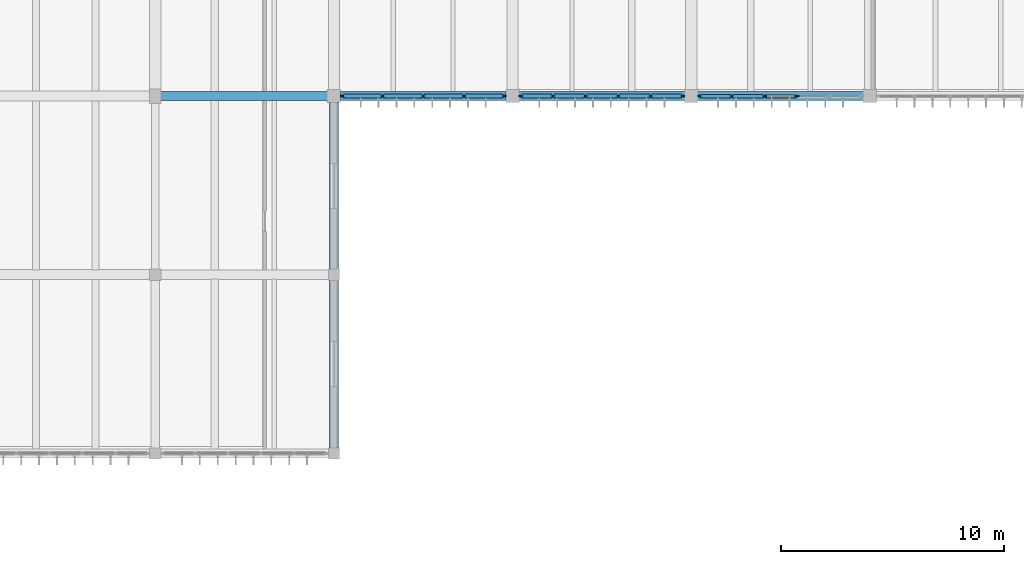
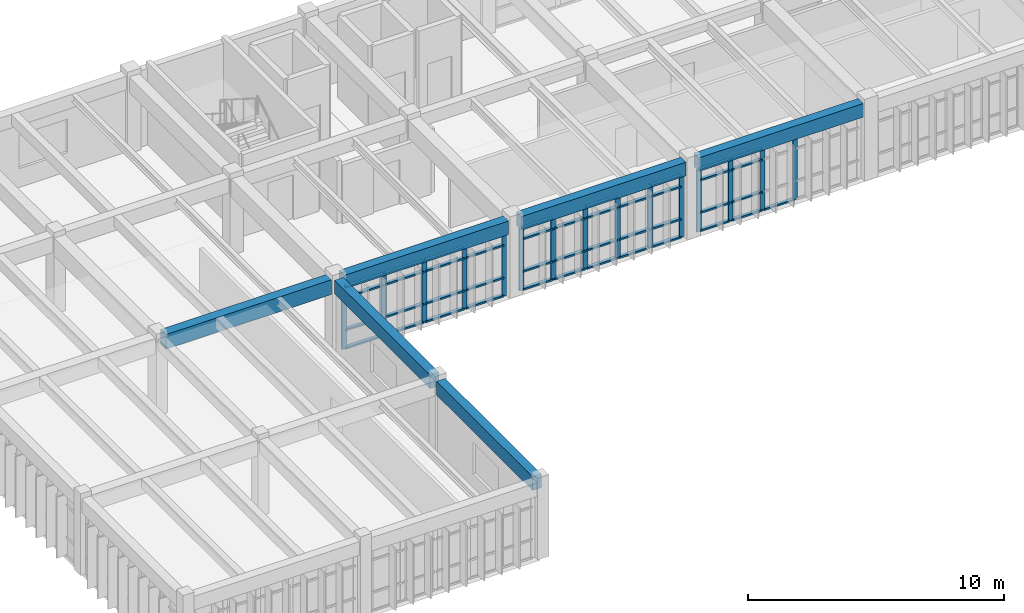
# One storey, part 4 of 22: 60 members, 6 beams, 3 elements without a shape of their own.
"""IFC4 building model written with IfcOpenShell, lengths in metres."""

import ifcopenshell
import ifcopenshell.guid

model = None  # the IFC model being written
_history = None  # IfcOwnerHistory: only IFC2X3 demands one
_inside = {}  # id of a spatial element -> (the spatial element, [elements in it])
_under = {}  # id of a project, library or spatial element -> (it, [spatial elements below it])
_declared = {}  # id of a project -> (the project, [libraries it declares])
_typed = {}  # id of a type object -> (the type object, [elements of that type])
_made_of = {}  # id of a material, layer set ... -> (it, [elements and type objects made of it])


def new_model(schema):
    """Start an empty IFC model of exactly this schema.

    Asked for "IFC4X3", IfcOpenShell would pick the latest addendum, in which some entities
    have other attributes; the version numbers below select the first issue.
    IFC2X3 requires an IfcOwnerHistory on every rooted entity: one is made here for all.
    """
    global model, _history
    if schema == "IFC4X3":
        model = ifcopenshell.file(schema_version=(4, 3, 0, 0))
    else:
        model = ifcopenshell.file(schema=schema)
    _inside.clear()
    _under.clear()
    _declared.clear()
    _typed.clear()
    _made_of.clear()
    _history = None
    if model.schema == "IFC2X3":
        org = make("IfcOrganization", Name="unknown")
        user = make(
            "IfcPersonAndOrganization",
            ThePerson=make("IfcPerson", FamilyName="unknown"),
            TheOrganization=org,
        )
        app = make(
            "IfcApplication",
            ApplicationDeveloper=org,
            Version="unknown",
            ApplicationFullName="unknown",
            ApplicationIdentifier="unknown",
        )
        _history = make(
            "IfcOwnerHistory",
            OwningUser=user,
            OwningApplication=app,
            ChangeAction="ADDED",
            CreationDate=0,
        )
    return model


def make(cls, **values):
    """One entity of the class cls with the attributes given. An attribute that is None is left unset."""
    return model.create_entity(
        cls, **{name: value for name, value in values.items() if value is not None}
    )


def rooted(cls, **values):
    """An entity with a GlobalId (a new one), such as an element, a storey or a relation."""
    return make(cls, GlobalId=ifcopenshell.guid.new(), OwnerHistory=_history, **values)


def si_unit(unit_type, name, prefix=None):
    """IfcSIUnit, for example si_unit("LENGTHUNIT", "METRE", prefix="MILLI")."""
    return make("IfcSIUnit", UnitType=unit_type, Prefix=prefix, Name=name)


def assignment(units):
    """IfcUnitAssignment: the units of a project."""
    return None if units is None else make("IfcUnitAssignment", Units=units)


def point(xyz):
    """IfcCartesianPoint."""
    return None if xyz is None else make("IfcCartesianPoint", Coordinates=xyz)


def direction(xyz):
    """IfcDirection."""
    return None if xyz is None else make("IfcDirection", DirectionRatios=xyz)


def frame(location, z_axis=None, x_axis=None):
    """IfcAxis2Placement3D, a coordinate frame: its origin and axes. An axis left out is left unset."""
    return make(
        "IfcAxis2Placement3D",
        Location=point(location),
        Axis=direction(z_axis),
        RefDirection=direction(x_axis),
    )


def frame_2d(location, x_axis=None):
    """IfcAxis2Placement2D, a coordinate frame in the plane: its origin and x axis."""
    return make(
        "IfcAxis2Placement2D", Location=point(location), RefDirection=direction(x_axis)
    )


def origin():
    """The frame at (0, 0, 0) with its axes left unset."""
    return frame((0.0, 0.0, 0.0))


def origin_2d():
    """The frame at (0, 0) in the plane with its x axis left unset."""
    return frame_2d((0.0, 0.0))


def place(relative_to, where):
    """IfcLocalPlacement: puts the frame where relative to a parent placement (None: the world)."""
    return make(
        "IfcLocalPlacement", PlacementRelTo=relative_to, RelativePlacement=where
    )


def context(
    kind, dimensions, precision=None, world=None, true_north=None, identifier=None
):
    """IfcGeometricRepresentationContext, for example the 3D "Model" context."""
    return make(
        "IfcGeometricRepresentationContext",
        ContextIdentifier=identifier,
        ContextType=kind,
        CoordinateSpaceDimension=dimensions,
        Precision=precision,
        WorldCoordinateSystem=world,
        TrueNorth=true_north,
    )


def subcontext(parent, identifier, kind, view, scale=None):
    """IfcGeometricRepresentationSubContext, for example "Body" below "Model"."""
    return make(
        "IfcGeometricRepresentationSubContext",
        ContextIdentifier=identifier,
        ContextType=kind,
        ParentContext=parent,
        TargetScale=scale,
        TargetView=view,
    )


def project(units=None, contexts=None):
    """IfcProject with its units and contexts."""
    return rooted(
        "IfcProject",
        Name="project",
        RepresentationContexts=contexts,
        UnitsInContext=assignment(units),
    )


def spatial(cls, under=None, at=None, **own):
    """A site, building, storey or space (cls), placed at a placement, below another one or the project."""
    s = rooted(cls, ObjectPlacement=at, **own)
    if under is not None:
        _under.setdefault(under.id(), (under, []))[1].append(s)
    return s


def profile(cls, at=None, kind="AREA", **sizes):
    """A parametric profile (cls). Its sizes go by their IFC names, for example OverallWidth=200.0."""
    return make(cls, ProfileType=kind, Position=at, **sizes)


def rectangle(**sizes):
    """IfcRectangleProfileDef."""
    return profile("IfcRectangleProfileDef", **sizes)


def extrude(swept, where, along, depth):
    """IfcExtrudedAreaSolid: the profile swept, set in the frame where, extruded along a direction by depth."""
    return make(
        "IfcExtrudedAreaSolid",
        SweptArea=swept,
        Position=where,
        ExtrudedDirection=direction(along),
        Depth=depth,
    )


def shape(context_of_items, identifier, shape_type, items):
    """IfcShapeRepresentation: the items that make up one representation, for example the "Body"."""
    return make(
        "IfcShapeRepresentation",
        ContextOfItems=context_of_items,
        RepresentationIdentifier=identifier,
        RepresentationType=shape_type,
        Items=items,
    )


def material(Name=None, Category=None):
    """IfcMaterial."""
    return make("IfcMaterial", Name=Name, Category=Category)


def material_profile(
    of_material, cross_section, Name=None, Category=None, Priority=None
):
    """IfcMaterialProfile: a cross section and its material."""
    return make(
        "IfcMaterialProfile",
        Name=Name,
        Material=of_material,
        Profile=cross_section,
        Priority=Priority,
        Category=Category,
    )


def profile_set(profiles, Name=None, composite=None):
    """IfcMaterialProfileSet."""
    return make(
        "IfcMaterialProfileSet",
        Name=Name,
        MaterialProfiles=profiles,
        CompositeProfile=composite,
    )


def made_of(thing, what):
    """Note that an element or type object is made of a material, layer set ...; save() writes the relation."""
    if what is not None:
        _made_of.setdefault(what.id(), (what, []))[1].append(thing)
    return thing


def type_object(cls, material=None, **own):
    """A type object (cls), such as IfcWallType, which elements share."""
    return made_of(rooted(cls, **own), material)


def element(
    cls,
    number,
    at=None,
    inside=None,
    cuts=None,
    type_object=None,
    material=None,
    context=None,
    identifier="Body",
    shape_type=None,
    held_by="IfcProductDefinitionShape",
    body=None,
    shapes=None,
    **own,
):
    """One element of the class cls, such as IfcWall. Its Tag is "e" and its number.

    at: its placement. inside: the storey or other place that contains it. cuts: it is an
    opening in that element (IfcRelVoidsElement). A single representation is given by context,
    identifier, shape_type and body (its items); several are given by shapes. held_by: the class
    of the entity that holds the representations. save() writes the other relations.
    """
    e = rooted(cls, Tag="e%d" % number, ObjectPlacement=at, **own)
    if body is not None:
        shapes = [shape(context, identifier, shape_type, body)]
    if shapes is not None:
        e.Representation = make(held_by, Representations=shapes)
    if inside is not None:
        _inside.setdefault(inside.id(), (inside, []))[1].append(e)
    if cuts is not None:
        rooted(
            "IfcRelVoidsElement", RelatingBuildingElement=cuts, RelatedOpeningElement=e
        )
    if type_object is not None:
        _typed.setdefault(type_object.id(), (type_object, []))[1].append(e)
    return made_of(e, material)


def aggregate(whole, parts):
    """IfcRelAggregates: a whole, such as a stair, and the parts it consists of."""
    return rooted("IfcRelAggregates", RelatingObject=whole, RelatedObjects=parts)


def save(model, path):
    """Write the relations noted so far, then the file.

    IfcRelAggregates (storeys below a building ...), IfcRelContainedInSpatialStructure (elements
    in a storey), IfcRelDefinesByType, IfcRelAssociatesMaterial and IfcRelDeclares: one each for
    every whole, place, type object, material and project.
    """
    for whole, parts in _under.values():
        aggregate(whole, parts)
    for where, things in _inside.values():
        rooted(
            "IfcRelContainedInSpatialStructure",
            RelatedElements=things,
            RelatingStructure=where,
        )
    for kind, things in _typed.values():
        rooted("IfcRelDefinesByType", RelatedObjects=things, RelatingType=kind)
    for what, things in _made_of.values():
        rooted("IfcRelAssociatesMaterial", RelatedObjects=things, RelatingMaterial=what)
    for by, libraries in _declared.values():
        rooted("IfcRelDeclares", RelatingContext=by, RelatedDefinitions=libraries)
    model.write(path)


model = new_model("IFC4")

# Units and contexts
model_context = context("Model", 3, precision=1e-05, world=origin(), true_north=direction((0.0, 1.0)))
body_context = subcontext(model_context, "Body", "Model", "MODEL_VIEW")
ifc_project = project(units=[si_unit("LENGTHUNIT", "METRE"), si_unit("AREAUNIT", "SQUARE_METRE"), si_unit("VOLUMEUNIT", "CUBIC_METRE"), si_unit("PLANEANGLEUNIT", "RADIAN"), si_unit("MASSUNIT", "GRAM", prefix="KILO")], contexts=[model_context])

# Site, building, storey
site_placement = place(None, origin())
site = spatial("IfcSite", under=ifc_project, at=site_placement, CompositionType="ELEMENT")
building_placement = place(site_placement, origin())
building = spatial("IfcBuilding", under=site, at=building_placement, Name="Tlaxcora Railside Police Headquarters", CompositionType="ELEMENT")
storey_placement = place(building_placement, frame((0.0, 0.0, 21.89990234375)))
storey = spatial("IfcBuildingStorey", under=building, at=storey_placement, Name="L05", CompositionType="ELEMENT", Elevation=21.89990234375)

# Curtain wall, members
ifc_material_1 = material(Name="Thermally broken low-E insulated glazing", Category="glass")
curtain_wall_type_1 = type_object("IfcCurtainWallType", Name="Unitised Curtain Wall Assembly CW-23", PredefinedType="NOTDEFINED", material=ifc_material_1)
curtain_wall_1_placement = place(storey_placement, origin())
curtain_wall_1 = element("IfcCurtainWall", 1, at=curtain_wall_1_placement, inside=storey, type_object=curtain_wall_type_1, Name="V5 L05 curtain wall 108", PredefinedType="NOTDEFINED")
ifc_material_2 = material(Name="Anodised aluminium framing", Category="aluminium")
ifc_material_profile_1 = material_profile(ifc_material_2, rectangle(XDim=0.080078125, YDim=0.219970703125, at=origin_2d()), Name="AL80X220")
ifc_profile_set_1 = profile_set([ifc_material_profile_1], Name="Anodised aluminium framing")
member_type_1 = type_object("IfcMemberType", Name="Curtain Wall Mullion CW-31", PredefinedType="MULLION", material=ifc_profile_set_1)
member_1_placement = place(storey_placement, frame((29.590087890625, 76.800048828125, 0.0), z_axis=(0.0, 0.0, 1.0), x_axis=(0.0, 1.0, 0.0)))
member_1 = element("IfcMember", 2, at=member_1_placement, type_object=member_type_1, Name="CW mullion 1", PredefinedType="MULLION", context=body_context, shape_type="SweptSolid", body=[
    extrude(rectangle(XDim=0.080078125, YDim=0.219970703125, at=origin_2d()), origin(), (0.0, 0.0, 1.0), 2.97998046875),
])
member_2_placement = place(storey_placement, frame((31.010009765625, 76.800048828125, 0.0), z_axis=(0.0, 0.0, 1.0), x_axis=(0.0, 1.0, 0.0)))
member_2 = element("IfcMember", 3, at=member_2_placement, type_object=member_type_1, Name="CW mullion 2", PredefinedType="MULLION", context=body_context, shape_type="SweptSolid", body=[
    extrude(rectangle(XDim=0.080078125, YDim=0.219970703125, at=origin_2d()), origin(), (0.0, 0.0, 1.0), 2.97998046875),
])
member_3_placement = place(storey_placement, frame((32.469970703125, 76.800048828125, 0.0), z_axis=(0.0, 0.0, 1.0), x_axis=(0.0, 1.0, 0.0)))
member_3 = element("IfcMember", 4, at=member_3_placement, type_object=member_type_1, Name="CW mullion 3", PredefinedType="MULLION", context=body_context, shape_type="SweptSolid", body=[
    extrude(rectangle(XDim=0.080078125, YDim=0.219970703125, at=origin_2d()), origin(), (0.0, 0.0, 1.0), 2.97998046875),
])
member_4_placement = place(storey_placement, frame((33.929931640625, 76.800048828125, 0.0), z_axis=(0.0, 0.0, 1.0), x_axis=(0.0, 1.0, 0.0)))
member_4 = element("IfcMember", 5, at=member_4_placement, type_object=member_type_1, Name="CW mullion 4", PredefinedType="MULLION", context=body_context, shape_type="SweptSolid", body=[
    extrude(rectangle(XDim=0.080078125, YDim=0.219970703125, at=origin_2d()), origin(), (0.0, 0.0, 1.0), 2.97998046875),
])
member_5_placement = place(storey_placement, frame((35.389892578125, 76.800048828125, 0.0), z_axis=(0.0, 0.0, 1.0), x_axis=(0.0, 1.0, 0.0)))
member_5 = element("IfcMember", 6, at=member_5_placement, type_object=member_type_1, Name="CW mullion 5", PredefinedType="MULLION", context=body_context, shape_type="SweptSolid", body=[
    extrude(rectangle(XDim=0.080078125, YDim=0.219970703125, at=origin_2d()), origin(), (0.0, 0.0, 1.0), 2.97998046875),
])
member_6_placement = place(storey_placement, frame((36.81005859375, 76.800048828125, 0.0), z_axis=(0.0, 0.0, 1.0), x_axis=(0.0, 1.0, 0.0)))
member_6 = element("IfcMember", 7, at=member_6_placement, type_object=member_type_1, Name="CW mullion 6", PredefinedType="MULLION", context=body_context, shape_type="SweptSolid", body=[
    extrude(rectangle(XDim=0.080078125, YDim=0.219970703125, at=origin_2d()), origin(), (0.0, 0.0, 1.0), 2.97998046875),
])

curtain_wall_type_2 = type_object("IfcCurtainWallType", Name="Unitised Curtain Wall Assembly CW-38", PredefinedType="NOTDEFINED", material=ifc_material_1)
curtain_wall_2_placement = place(storey_placement, origin())
curtain_wall_2 = element("IfcCurtainWall", 8, at=curtain_wall_2_placement, inside=storey, type_object=curtain_wall_type_2, Name="V5 L05 curtain wall 109", PredefinedType="NOTDEFINED")
ifc_material_profile_2 = material_profile(ifc_material_2, rectangle(XDim=0.074951171875, YDim=0.205078125, at=origin_2d()), Name="AL75X205")
ifc_profile_set_2 = profile_set([ifc_material_profile_2], Name="Anodised aluminium framing")
member_type_2 = type_object("IfcMemberType", Name="Curtain Wall Mullion CW-32", PredefinedType="MULLION", material=ifc_profile_set_2)
member_7_placement = place(storey_placement, frame((37.58740234375, 76.800048828125, 0.0), z_axis=(0.0, 0.0, 1.0), x_axis=(0.0, 1.0, 0.0)))
member_7 = element("IfcMember", 9, at=member_7_placement, type_object=member_type_2, Name="CW mullion 1", PredefinedType="MULLION", context=body_context, shape_type="SweptSolid", body=[
    extrude(rectangle(XDim=0.074951171875, YDim=0.205078125, at=origin_2d()), origin(), (0.0, 0.0, 1.0), 2.97998046875),
])
member_8_placement = place(storey_placement, frame((39.010009765625, 76.800048828125, 0.0), z_axis=(0.0, 0.0, 1.0), x_axis=(0.0, 1.0, 0.0)))
member_8 = element("IfcMember", 10, at=member_8_placement, type_object=member_type_2, Name="CW mullion 2", PredefinedType="MULLION", context=body_context, shape_type="SweptSolid", body=[
    extrude(rectangle(XDim=0.074951171875, YDim=0.205078125, at=origin_2d()), origin(), (0.0, 0.0, 1.0), 2.97998046875),
])
member_9_placement = place(storey_placement, frame((40.469970703125, 76.800048828125, 0.0), z_axis=(0.0, 0.0, 1.0), x_axis=(0.0, 1.0, 0.0)))
member_9 = element("IfcMember", 11, at=member_9_placement, type_object=member_type_2, Name="CW mullion 3", PredefinedType="MULLION", context=body_context, shape_type="SweptSolid", body=[
    extrude(rectangle(XDim=0.074951171875, YDim=0.205078125, at=origin_2d()), origin(), (0.0, 0.0, 1.0), 2.97998046875),
])
member_10_placement = place(storey_placement, frame((41.929931640625, 76.800048828125, 0.0), z_axis=(0.0, 0.0, 1.0), x_axis=(0.0, 1.0, 0.0)))
member_10 = element("IfcMember", 12, at=member_10_placement, type_object=member_type_2, Name="CW mullion 4", PredefinedType="MULLION", context=body_context, shape_type="SweptSolid", body=[
    extrude(rectangle(XDim=0.074951171875, YDim=0.205078125, at=origin_2d()), origin(), (0.0, 0.0, 1.0), 2.97998046875),
])

curtain_wall_type_3 = type_object("IfcCurtainWallType", Name="Unitised Curtain Wall Assembly CW-83", PredefinedType="NOTDEFINED", material=ifc_material_1)
curtain_wall_3_placement = place(storey_placement, origin())
curtain_wall_3 = element("IfcCurtainWall", 13, at=curtain_wall_3_placement, inside=storey, type_object=curtain_wall_type_3, Name="V5 L05 curtain wall 107", PredefinedType="NOTDEFINED")
ifc_material_profile_3 = material_profile(ifc_material_2, rectangle(XDim=0.080078125, YDim=0.2099609375, at=origin_2d()), Name="AL80X210")
ifc_profile_set_3 = profile_set([ifc_material_profile_3], Name="Anodised aluminium framing")
member_type_3 = type_object("IfcMemberType", Name="Curtain Wall Mullion CW-76", PredefinedType="MULLION", material=ifc_profile_set_3)
member_11_placement = place(storey_placement, frame((21.590087890625, 76.800048828125, 0.0), z_axis=(0.0, 0.0, 1.0), x_axis=(0.0, 1.0, 0.0)))
member_11 = element("IfcMember", 14, at=member_11_placement, type_object=member_type_3, Name="CW mullion 1", PredefinedType="MULLION", context=body_context, shape_type="SweptSolid", body=[
    extrude(rectangle(XDim=0.080078125, YDim=0.2099609375, at=origin_2d()), origin(), (0.0, 0.0, 1.0), 2.97998046875),
])
member_12_placement = place(storey_placement, frame((23.375, 76.800048828125, 0.0), z_axis=(0.0, 0.0, 1.0), x_axis=(0.0, 1.0, 0.0)))
member_12 = element("IfcMember", 15, at=member_12_placement, type_object=member_type_3, Name="CW mullion 2", PredefinedType="MULLION", context=body_context, shape_type="SweptSolid", body=[
    extrude(rectangle(XDim=0.080078125, YDim=0.2099609375, at=origin_2d()), origin(), (0.0, 0.0, 1.0), 2.97998046875),
])
member_13_placement = place(storey_placement, frame((25.199951171875, 76.800048828125, 0.0), z_axis=(0.0, 0.0, 1.0), x_axis=(0.0, 1.0, 0.0)))
member_13 = element("IfcMember", 16, at=member_13_placement, type_object=member_type_3, Name="CW mullion 3", PredefinedType="MULLION", context=body_context, shape_type="SweptSolid", body=[
    extrude(rectangle(XDim=0.080078125, YDim=0.2099609375, at=origin_2d()), origin(), (0.0, 0.0, 1.0), 2.97998046875),
])
member_14_placement = place(storey_placement, frame((27.02490234375, 76.800048828125, 0.0), z_axis=(0.0, 0.0, 1.0), x_axis=(0.0, 1.0, 0.0)))
member_14 = element("IfcMember", 17, at=member_14_placement, type_object=member_type_3, Name="CW mullion 4", PredefinedType="MULLION", context=body_context, shape_type="SweptSolid", body=[
    extrude(rectangle(XDim=0.080078125, YDim=0.2099609375, at=origin_2d()), origin(), (0.0, 0.0, 1.0), 2.97998046875),
])
member_15_placement = place(storey_placement, frame((28.81005859375, 76.800048828125, 0.0), z_axis=(0.0, 0.0, 1.0), x_axis=(0.0, 1.0, 0.0)))
member_15 = element("IfcMember", 18, at=member_15_placement, type_object=member_type_3, Name="CW mullion 5", PredefinedType="MULLION", context=body_context, shape_type="SweptSolid", body=[
    extrude(rectangle(XDim=0.080078125, YDim=0.2099609375, at=origin_2d()), origin(), (0.0, 0.0, 1.0), 2.97998046875),
])

# Member
ifc_material_profile_4 = material_profile(ifc_material_2, rectangle(XDim=0.155029296875, YDim=0.074951171875, at=origin_2d()), Name="AL75X155")
ifc_profile_set_4 = profile_set([ifc_material_profile_4], Name="Anodised aluminium framing")
member_type_4 = type_object("IfcMemberType", Name="Curtain Wall Transom CW-30", PredefinedType="USERDEFINED", material=ifc_profile_set_4)
member_16_placement = place(storey_placement, frame((37.625, 76.800048828125, 0.03759765625), z_axis=(1.0, 0.0, 0.0), x_axis=(0.0, 1.0, 0.0)))
member_16 = element("IfcMember", 19, at=member_16_placement, type_object=member_type_4, Name="CW transom 1.1", ObjectType="TRANSOM", PredefinedType="USERDEFINED", context=body_context, shape_type="SweptSolid", body=[
    extrude(rectangle(XDim=0.155029296875, YDim=0.074951171875, at=origin_2d()), origin(), (0.0, 0.0, 1.0), 1.347412109375),
])

member_17_placement = place(storey_placement, frame((37.625, 76.800048828125, 0.900146484375), z_axis=(1.0, 0.0, 0.0), x_axis=(0.0, 1.0, 0.0)))
member_17 = element("IfcMember", 20, at=member_17_placement, type_object=member_type_4, Name="CW transom 1.2", ObjectType="TRANSOM", PredefinedType="USERDEFINED", context=body_context, shape_type="SweptSolid", body=[
    extrude(rectangle(XDim=0.155029296875, YDim=0.074951171875, at=origin_2d()), origin(), (0.0, 0.0, 1.0), 1.347412109375),
])

member_18_placement = place(storey_placement, frame((37.625, 76.800048828125, 2.4501953125), z_axis=(1.0, 0.0, 0.0), x_axis=(0.0, 1.0, 0.0)))
member_18 = element("IfcMember", 21, at=member_18_placement, type_object=member_type_4, Name="CW transom 1.3", ObjectType="TRANSOM", PredefinedType="USERDEFINED", context=body_context, shape_type="SweptSolid", body=[
    extrude(rectangle(XDim=0.155029296875, YDim=0.074951171875, at=origin_2d()), origin(), (0.0, 0.0, 1.0), 1.347412109375),
])

member_19_placement = place(storey_placement, frame((37.625, 76.800048828125, 2.942626953125), z_axis=(1.0, 0.0, 0.0), x_axis=(0.0, 1.0, 0.0)))
member_19 = element("IfcMember", 22, at=member_19_placement, type_object=member_type_4, Name="CW transom 1.4", ObjectType="TRANSOM", PredefinedType="USERDEFINED", context=body_context, shape_type="SweptSolid", body=[
    extrude(rectangle(XDim=0.155029296875, YDim=0.074951171875, at=origin_2d()), origin(), (0.0, 0.0, 1.0), 1.347412109375),
])

member_20_placement = place(storey_placement, frame((39.047607421875, 76.800048828125, 0.03759765625), z_axis=(1.0, 0.0, 0.0), x_axis=(0.0, 1.0, 0.0)))
member_20 = element("IfcMember", 23, at=member_20_placement, type_object=member_type_4, Name="CW transom 2.1", ObjectType="TRANSOM", PredefinedType="USERDEFINED", context=body_context, shape_type="SweptSolid", body=[
    extrude(rectangle(XDim=0.155029296875, YDim=0.074951171875, at=origin_2d()), origin(), (0.0, 0.0, 1.0), 1.385009765625),
])

member_21_placement = place(storey_placement, frame((39.047607421875, 76.800048828125, 0.900146484375), z_axis=(1.0, 0.0, 0.0), x_axis=(0.0, 1.0, 0.0)))
member_21 = element("IfcMember", 24, at=member_21_placement, type_object=member_type_4, Name="CW transom 2.2", ObjectType="TRANSOM", PredefinedType="USERDEFINED", context=body_context, shape_type="SweptSolid", body=[
    extrude(rectangle(XDim=0.155029296875, YDim=0.074951171875, at=origin_2d()), origin(), (0.0, 0.0, 1.0), 1.385009765625),
])

member_22_placement = place(storey_placement, frame((39.047607421875, 76.800048828125, 2.4501953125), z_axis=(1.0, 0.0, 0.0), x_axis=(0.0, 1.0, 0.0)))
member_22 = element("IfcMember", 25, at=member_22_placement, type_object=member_type_4, Name="CW transom 2.3", ObjectType="TRANSOM", PredefinedType="USERDEFINED", context=body_context, shape_type="SweptSolid", body=[
    extrude(rectangle(XDim=0.155029296875, YDim=0.074951171875, at=origin_2d()), origin(), (0.0, 0.0, 1.0), 1.385009765625),
])

member_23_placement = place(storey_placement, frame((39.047607421875, 76.800048828125, 2.942626953125), z_axis=(1.0, 0.0, 0.0), x_axis=(0.0, 1.0, 0.0)))
member_23 = element("IfcMember", 26, at=member_23_placement, type_object=member_type_4, Name="CW transom 2.4", ObjectType="TRANSOM", PredefinedType="USERDEFINED", context=body_context, shape_type="SweptSolid", body=[
    extrude(rectangle(XDim=0.155029296875, YDim=0.074951171875, at=origin_2d()), origin(), (0.0, 0.0, 1.0), 1.385009765625),
])

member_24_placement = place(storey_placement, frame((40.507568359375, 76.800048828125, 0.03759765625), z_axis=(1.0, 0.0, 0.0), x_axis=(0.0, 1.0, 0.0)))
member_24 = element("IfcMember", 27, at=member_24_placement, type_object=member_type_4, Name="CW transom 3.1", ObjectType="TRANSOM", PredefinedType="USERDEFINED", context=body_context, shape_type="SweptSolid", body=[
    extrude(rectangle(XDim=0.155029296875, YDim=0.074951171875, at=origin_2d()), origin(), (0.0, 0.0, 1.0), 1.385009765625),
])

aggregate(curtain_wall_2, [member_7, member_8, member_9, member_10, member_16, member_17, member_18, member_19, member_20, member_21, member_22, member_23, member_24])

ifc_material_profile_5 = material_profile(ifc_material_2, rectangle(XDim=0.1650390625, YDim=0.080078125, at=origin_2d()), Name="AL80X165")
ifc_profile_set_5 = profile_set([ifc_material_profile_5], Name="Anodised aluminium framing")
member_type_5 = type_object("IfcMemberType", Name="Curtain Wall Transom CW-62", PredefinedType="USERDEFINED", material=ifc_profile_set_5)
member_25_placement = place(storey_placement, frame((29.6298828125, 76.800048828125, 0.0400390625), z_axis=(1.0, 0.0, 0.0), x_axis=(0.0, 1.0, 0.0)))
member_25 = element("IfcMember", 28, at=member_25_placement, type_object=member_type_5, Name="CW transom 1.1", ObjectType="TRANSOM", PredefinedType="USERDEFINED", context=body_context, shape_type="SweptSolid", body=[
    extrude(rectangle(XDim=0.1650390625, YDim=0.080078125, at=origin_2d()), origin(), (0.0, 0.0, 1.0), 1.340087890625),
])

member_26_placement = place(storey_placement, frame((29.6298828125, 76.800048828125, 0.900146484375), z_axis=(1.0, 0.0, 0.0), x_axis=(0.0, 1.0, 0.0)))
member_26 = element("IfcMember", 29, at=member_26_placement, type_object=member_type_5, Name="CW transom 1.2", ObjectType="TRANSOM", PredefinedType="USERDEFINED", context=body_context, shape_type="SweptSolid", body=[
    extrude(rectangle(XDim=0.1650390625, YDim=0.080078125, at=origin_2d()), origin(), (0.0, 0.0, 1.0), 1.340087890625),
])

member_27_placement = place(storey_placement, frame((29.6298828125, 76.800048828125, 2.4501953125), z_axis=(1.0, 0.0, 0.0), x_axis=(0.0, 1.0, 0.0)))
member_27 = element("IfcMember", 30, at=member_27_placement, type_object=member_type_5, Name="CW transom 1.3", ObjectType="TRANSOM", PredefinedType="USERDEFINED", context=body_context, shape_type="SweptSolid", body=[
    extrude(rectangle(XDim=0.1650390625, YDim=0.080078125, at=origin_2d()), origin(), (0.0, 0.0, 1.0), 1.340087890625),
])

member_28_placement = place(storey_placement, frame((29.6298828125, 76.800048828125, 2.940185546875), z_axis=(1.0, 0.0, 0.0), x_axis=(0.0, 1.0, 0.0)))
member_28 = element("IfcMember", 31, at=member_28_placement, type_object=member_type_5, Name="CW transom 1.4", ObjectType="TRANSOM", PredefinedType="USERDEFINED", context=body_context, shape_type="SweptSolid", body=[
    extrude(rectangle(XDim=0.1650390625, YDim=0.080078125, at=origin_2d()), origin(), (0.0, 0.0, 1.0), 1.340087890625),
])

member_29_placement = place(storey_placement, frame((31.050048828125, 76.800048828125, 0.0400390625), z_axis=(1.0, 0.0, 0.0), x_axis=(0.0, 1.0, 0.0)))
member_29 = element("IfcMember", 32, at=member_29_placement, type_object=member_type_5, Name="CW transom 2.1", ObjectType="TRANSOM", PredefinedType="USERDEFINED", context=body_context, shape_type="SweptSolid", body=[
    extrude(rectangle(XDim=0.1650390625, YDim=0.080078125, at=origin_2d()), origin(), (0.0, 0.0, 1.0), 1.3798828125),
])

member_30_placement = place(storey_placement, frame((31.050048828125, 76.800048828125, 0.900146484375), z_axis=(1.0, 0.0, 0.0), x_axis=(0.0, 1.0, 0.0)))
member_30 = element("IfcMember", 33, at=member_30_placement, type_object=member_type_5, Name="CW transom 2.2", ObjectType="TRANSOM", PredefinedType="USERDEFINED", context=body_context, shape_type="SweptSolid", body=[
    extrude(rectangle(XDim=0.1650390625, YDim=0.080078125, at=origin_2d()), origin(), (0.0, 0.0, 1.0), 1.3798828125),
])

member_31_placement = place(storey_placement, frame((31.050048828125, 76.800048828125, 2.4501953125), z_axis=(1.0, 0.0, 0.0), x_axis=(0.0, 1.0, 0.0)))
member_31 = element("IfcMember", 34, at=member_31_placement, type_object=member_type_5, Name="CW transom 2.3", ObjectType="TRANSOM", PredefinedType="USERDEFINED", context=body_context, shape_type="SweptSolid", body=[
    extrude(rectangle(XDim=0.1650390625, YDim=0.080078125, at=origin_2d()), origin(), (0.0, 0.0, 1.0), 1.3798828125),
])

member_32_placement = place(storey_placement, frame((31.050048828125, 76.800048828125, 2.940185546875), z_axis=(1.0, 0.0, 0.0), x_axis=(0.0, 1.0, 0.0)))
member_32 = element("IfcMember", 35, at=member_32_placement, type_object=member_type_5, Name="CW transom 2.4", ObjectType="TRANSOM", PredefinedType="USERDEFINED", context=body_context, shape_type="SweptSolid", body=[
    extrude(rectangle(XDim=0.1650390625, YDim=0.080078125, at=origin_2d()), origin(), (0.0, 0.0, 1.0), 1.3798828125),
])

member_33_placement = place(storey_placement, frame((32.510009765625, 76.800048828125, 0.0400390625), z_axis=(1.0, 0.0, 0.0), x_axis=(0.0, 1.0, 0.0)))
member_33 = element("IfcMember", 36, at=member_33_placement, type_object=member_type_5, Name="CW transom 3.1", ObjectType="TRANSOM", PredefinedType="USERDEFINED", context=body_context, shape_type="SweptSolid", body=[
    extrude(rectangle(XDim=0.1650390625, YDim=0.080078125, at=origin_2d()), origin(), (0.0, 0.0, 1.0), 1.3798828125),
])

member_34_placement = place(storey_placement, frame((32.510009765625, 76.800048828125, 0.900146484375), z_axis=(1.0, 0.0, 0.0), x_axis=(0.0, 1.0, 0.0)))
member_34 = element("IfcMember", 37, at=member_34_placement, type_object=member_type_5, Name="CW transom 3.2", ObjectType="TRANSOM", PredefinedType="USERDEFINED", context=body_context, shape_type="SweptSolid", body=[
    extrude(rectangle(XDim=0.1650390625, YDim=0.080078125, at=origin_2d()), origin(), (0.0, 0.0, 1.0), 1.3798828125),
])

member_35_placement = place(storey_placement, frame((32.510009765625, 76.800048828125, 2.4501953125), z_axis=(1.0, 0.0, 0.0), x_axis=(0.0, 1.0, 0.0)))
member_35 = element("IfcMember", 38, at=member_35_placement, type_object=member_type_5, Name="CW transom 3.3", ObjectType="TRANSOM", PredefinedType="USERDEFINED", context=body_context, shape_type="SweptSolid", body=[
    extrude(rectangle(XDim=0.1650390625, YDim=0.080078125, at=origin_2d()), origin(), (0.0, 0.0, 1.0), 1.3798828125),
])

member_36_placement = place(storey_placement, frame((32.510009765625, 76.800048828125, 2.940185546875), z_axis=(1.0, 0.0, 0.0), x_axis=(0.0, 1.0, 0.0)))
member_36 = element("IfcMember", 39, at=member_36_placement, type_object=member_type_5, Name="CW transom 3.4", ObjectType="TRANSOM", PredefinedType="USERDEFINED", context=body_context, shape_type="SweptSolid", body=[
    extrude(rectangle(XDim=0.1650390625, YDim=0.080078125, at=origin_2d()), origin(), (0.0, 0.0, 1.0), 1.3798828125),
])

member_37_placement = place(storey_placement, frame((33.969970703125, 76.800048828125, 0.0400390625), z_axis=(1.0, 0.0, 0.0), x_axis=(0.0, 1.0, 0.0)))
member_37 = element("IfcMember", 40, at=member_37_placement, type_object=member_type_5, Name="CW transom 4.1", ObjectType="TRANSOM", PredefinedType="USERDEFINED", context=body_context, shape_type="SweptSolid", body=[
    extrude(rectangle(XDim=0.1650390625, YDim=0.080078125, at=origin_2d()), origin(), (0.0, 0.0, 1.0), 1.380126953125),
])

member_38_placement = place(storey_placement, frame((33.969970703125, 76.800048828125, 0.900146484375), z_axis=(1.0, 0.0, 0.0), x_axis=(0.0, 1.0, 0.0)))
member_38 = element("IfcMember", 41, at=member_38_placement, type_object=member_type_5, Name="CW transom 4.2", ObjectType="TRANSOM", PredefinedType="USERDEFINED", context=body_context, shape_type="SweptSolid", body=[
    extrude(rectangle(XDim=0.1650390625, YDim=0.080078125, at=origin_2d()), origin(), (0.0, 0.0, 1.0), 1.380126953125),
])

member_39_placement = place(storey_placement, frame((33.969970703125, 76.800048828125, 2.4501953125), z_axis=(1.0, 0.0, 0.0), x_axis=(0.0, 1.0, 0.0)))
member_39 = element("IfcMember", 42, at=member_39_placement, type_object=member_type_5, Name="CW transom 4.3", ObjectType="TRANSOM", PredefinedType="USERDEFINED", context=body_context, shape_type="SweptSolid", body=[
    extrude(rectangle(XDim=0.1650390625, YDim=0.080078125, at=origin_2d()), origin(), (0.0, 0.0, 1.0), 1.380126953125),
])

member_40_placement = place(storey_placement, frame((33.969970703125, 76.800048828125, 2.940185546875), z_axis=(1.0, 0.0, 0.0), x_axis=(0.0, 1.0, 0.0)))
member_40 = element("IfcMember", 43, at=member_40_placement, type_object=member_type_5, Name="CW transom 4.4", ObjectType="TRANSOM", PredefinedType="USERDEFINED", context=body_context, shape_type="SweptSolid", body=[
    extrude(rectangle(XDim=0.1650390625, YDim=0.080078125, at=origin_2d()), origin(), (0.0, 0.0, 1.0), 1.380126953125),
])

member_41_placement = place(storey_placement, frame((35.429931640625, 76.800048828125, 0.0400390625), z_axis=(1.0, 0.0, 0.0), x_axis=(0.0, 1.0, 0.0)))
member_41 = element("IfcMember", 44, at=member_41_placement, type_object=member_type_5, Name="CW transom 5.1", ObjectType="TRANSOM", PredefinedType="USERDEFINED", context=body_context, shape_type="SweptSolid", body=[
    extrude(rectangle(XDim=0.1650390625, YDim=0.080078125, at=origin_2d()), origin(), (0.0, 0.0, 1.0), 1.340087890625),
])

member_42_placement = place(storey_placement, frame((35.429931640625, 76.800048828125, 0.900146484375), z_axis=(1.0, 0.0, 0.0), x_axis=(0.0, 1.0, 0.0)))
member_42 = element("IfcMember", 45, at=member_42_placement, type_object=member_type_5, Name="CW transom 5.2", ObjectType="TRANSOM", PredefinedType="USERDEFINED", context=body_context, shape_type="SweptSolid", body=[
    extrude(rectangle(XDim=0.1650390625, YDim=0.080078125, at=origin_2d()), origin(), (0.0, 0.0, 1.0), 1.340087890625),
])

member_43_placement = place(storey_placement, frame((35.429931640625, 76.800048828125, 2.4501953125), z_axis=(1.0, 0.0, 0.0), x_axis=(0.0, 1.0, 0.0)))
member_43 = element("IfcMember", 46, at=member_43_placement, type_object=member_type_5, Name="CW transom 5.3", ObjectType="TRANSOM", PredefinedType="USERDEFINED", context=body_context, shape_type="SweptSolid", body=[
    extrude(rectangle(XDim=0.1650390625, YDim=0.080078125, at=origin_2d()), origin(), (0.0, 0.0, 1.0), 1.340087890625),
])

member_44_placement = place(storey_placement, frame((35.429931640625, 76.800048828125, 2.940185546875), z_axis=(1.0, 0.0, 0.0), x_axis=(0.0, 1.0, 0.0)))
member_44 = element("IfcMember", 47, at=member_44_placement, type_object=member_type_5, Name="CW transom 5.4", ObjectType="TRANSOM", PredefinedType="USERDEFINED", context=body_context, shape_type="SweptSolid", body=[
    extrude(rectangle(XDim=0.1650390625, YDim=0.080078125, at=origin_2d()), origin(), (0.0, 0.0, 1.0), 1.340087890625),
])

aggregate(curtain_wall_1, [member_1, member_2, member_3, member_4, member_5, member_6, member_25, member_26, member_27, member_28, member_29, member_30, member_31, member_32, member_33, member_34, member_35, member_36, member_37, member_38, member_39, member_40, member_41, member_42, member_43, member_44])

ifc_material_profile_6 = material_profile(ifc_material_2, rectangle(XDim=0.159912109375, YDim=0.080078125, at=origin_2d()), Name="AL80X160")
ifc_profile_set_6 = profile_set([ifc_material_profile_6], Name="Anodised aluminium framing")
member_type_6 = type_object("IfcMemberType", Name="Curtain Wall Transom CW-82", PredefinedType="USERDEFINED", material=ifc_profile_set_6)
member_45_placement = place(storey_placement, frame((21.6298828125, 76.800048828125, 0.0400390625), z_axis=(1.0, 0.0, 0.0), x_axis=(0.0, 1.0, 0.0)))
member_45 = element("IfcMember", 48, at=member_45_placement, type_object=member_type_6, Name="CW transom 1.1", ObjectType="TRANSOM", PredefinedType="USERDEFINED", context=body_context, shape_type="SweptSolid", body=[
    extrude(rectangle(XDim=0.159912109375, YDim=0.080078125, at=origin_2d()), origin(), (0.0, 0.0, 1.0), 1.705078125),
])

member_46_placement = place(storey_placement, frame((21.6298828125, 76.800048828125, 0.900146484375), z_axis=(1.0, 0.0, 0.0), x_axis=(0.0, 1.0, 0.0)))
member_46 = element("IfcMember", 49, at=member_46_placement, type_object=member_type_6, Name="CW transom 1.2", ObjectType="TRANSOM", PredefinedType="USERDEFINED", context=body_context, shape_type="SweptSolid", body=[
    extrude(rectangle(XDim=0.159912109375, YDim=0.080078125, at=origin_2d()), origin(), (0.0, 0.0, 1.0), 1.705078125),
])

member_47_placement = place(storey_placement, frame((21.6298828125, 76.800048828125, 2.4501953125), z_axis=(1.0, 0.0, 0.0), x_axis=(0.0, 1.0, 0.0)))
member_47 = element("IfcMember", 50, at=member_47_placement, type_object=member_type_6, Name="CW transom 1.3", ObjectType="TRANSOM", PredefinedType="USERDEFINED", context=body_context, shape_type="SweptSolid", body=[
    extrude(rectangle(XDim=0.159912109375, YDim=0.080078125, at=origin_2d()), origin(), (0.0, 0.0, 1.0), 1.705078125),
])

member_48_placement = place(storey_placement, frame((21.6298828125, 76.800048828125, 2.940185546875), z_axis=(1.0, 0.0, 0.0), x_axis=(0.0, 1.0, 0.0)))
member_48 = element("IfcMember", 51, at=member_48_placement, type_object=member_type_6, Name="CW transom 1.4", ObjectType="TRANSOM", PredefinedType="USERDEFINED", context=body_context, shape_type="SweptSolid", body=[
    extrude(rectangle(XDim=0.159912109375, YDim=0.080078125, at=origin_2d()), origin(), (0.0, 0.0, 1.0), 1.705078125),
])

member_49_placement = place(storey_placement, frame((23.4150390625, 76.800048828125, 0.0400390625), z_axis=(1.0, 0.0, 0.0), x_axis=(0.0, 1.0, 0.0)))
member_49 = element("IfcMember", 52, at=member_49_placement, type_object=member_type_6, Name="CW transom 2.1", ObjectType="TRANSOM", PredefinedType="USERDEFINED", context=body_context, shape_type="SweptSolid", body=[
    extrude(rectangle(XDim=0.159912109375, YDim=0.080078125, at=origin_2d()), origin(), (0.0, 0.0, 1.0), 1.744873046875),
])

member_50_placement = place(storey_placement, frame((23.4150390625, 76.800048828125, 0.900146484375), z_axis=(1.0, 0.0, 0.0), x_axis=(0.0, 1.0, 0.0)))
member_50 = element("IfcMember", 53, at=member_50_placement, type_object=member_type_6, Name="CW transom 2.2", ObjectType="TRANSOM", PredefinedType="USERDEFINED", context=body_context, shape_type="SweptSolid", body=[
    extrude(rectangle(XDim=0.159912109375, YDim=0.080078125, at=origin_2d()), origin(), (0.0, 0.0, 1.0), 1.744873046875),
])

member_51_placement = place(storey_placement, frame((23.4150390625, 76.800048828125, 2.4501953125), z_axis=(1.0, 0.0, 0.0), x_axis=(0.0, 1.0, 0.0)))
member_51 = element("IfcMember", 54, at=member_51_placement, type_object=member_type_6, Name="CW transom 2.3", ObjectType="TRANSOM", PredefinedType="USERDEFINED", context=body_context, shape_type="SweptSolid", body=[
    extrude(rectangle(XDim=0.159912109375, YDim=0.080078125, at=origin_2d()), origin(), (0.0, 0.0, 1.0), 1.744873046875),
])

member_52_placement = place(storey_placement, frame((23.4150390625, 76.800048828125, 2.940185546875), z_axis=(1.0, 0.0, 0.0), x_axis=(0.0, 1.0, 0.0)))
member_52 = element("IfcMember", 55, at=member_52_placement, type_object=member_type_6, Name="CW transom 2.4", ObjectType="TRANSOM", PredefinedType="USERDEFINED", context=body_context, shape_type="SweptSolid", body=[
    extrude(rectangle(XDim=0.159912109375, YDim=0.080078125, at=origin_2d()), origin(), (0.0, 0.0, 1.0), 1.744873046875),
])

member_53_placement = place(storey_placement, frame((25.239990234375, 76.800048828125, 0.0400390625), z_axis=(1.0, 0.0, 0.0), x_axis=(0.0, 1.0, 0.0)))
member_53 = element("IfcMember", 56, at=member_53_placement, type_object=member_type_6, Name="CW transom 3.1", ObjectType="TRANSOM", PredefinedType="USERDEFINED", context=body_context, shape_type="SweptSolid", body=[
    extrude(rectangle(XDim=0.159912109375, YDim=0.080078125, at=origin_2d()), origin(), (0.0, 0.0, 1.0), 1.7451171875),
])

member_54_placement = place(storey_placement, frame((25.239990234375, 76.800048828125, 0.900146484375), z_axis=(1.0, 0.0, 0.0), x_axis=(0.0, 1.0, 0.0)))
member_54 = element("IfcMember", 57, at=member_54_placement, type_object=member_type_6, Name="CW transom 3.2", ObjectType="TRANSOM", PredefinedType="USERDEFINED", context=body_context, shape_type="SweptSolid", body=[
    extrude(rectangle(XDim=0.159912109375, YDim=0.080078125, at=origin_2d()), origin(), (0.0, 0.0, 1.0), 1.7451171875),
])

member_55_placement = place(storey_placement, frame((25.239990234375, 76.800048828125, 2.4501953125), z_axis=(1.0, 0.0, 0.0), x_axis=(0.0, 1.0, 0.0)))
member_55 = element("IfcMember", 58, at=member_55_placement, type_object=member_type_6, Name="CW transom 3.3", ObjectType="TRANSOM", PredefinedType="USERDEFINED", context=body_context, shape_type="SweptSolid", body=[
    extrude(rectangle(XDim=0.159912109375, YDim=0.080078125, at=origin_2d()), origin(), (0.0, 0.0, 1.0), 1.7451171875),
])

member_56_placement = place(storey_placement, frame((25.239990234375, 76.800048828125, 2.940185546875), z_axis=(1.0, 0.0, 0.0), x_axis=(0.0, 1.0, 0.0)))
member_56 = element("IfcMember", 59, at=member_56_placement, type_object=member_type_6, Name="CW transom 3.4", ObjectType="TRANSOM", PredefinedType="USERDEFINED", context=body_context, shape_type="SweptSolid", body=[
    extrude(rectangle(XDim=0.159912109375, YDim=0.080078125, at=origin_2d()), origin(), (0.0, 0.0, 1.0), 1.7451171875),
])

member_57_placement = place(storey_placement, frame((27.06494140625, 76.800048828125, 0.0400390625), z_axis=(1.0, 0.0, 0.0), x_axis=(0.0, 1.0, 0.0)))
member_57 = element("IfcMember", 60, at=member_57_placement, type_object=member_type_6, Name="CW transom 4.1", ObjectType="TRANSOM", PredefinedType="USERDEFINED", context=body_context, shape_type="SweptSolid", body=[
    extrude(rectangle(XDim=0.159912109375, YDim=0.080078125, at=origin_2d()), origin(), (0.0, 0.0, 1.0), 1.705078125),
])

member_58_placement = place(storey_placement, frame((27.06494140625, 76.800048828125, 0.900146484375), z_axis=(1.0, 0.0, 0.0), x_axis=(0.0, 1.0, 0.0)))
member_58 = element("IfcMember", 61, at=member_58_placement, type_object=member_type_6, Name="CW transom 4.2", ObjectType="TRANSOM", PredefinedType="USERDEFINED", context=body_context, shape_type="SweptSolid", body=[
    extrude(rectangle(XDim=0.159912109375, YDim=0.080078125, at=origin_2d()), origin(), (0.0, 0.0, 1.0), 1.705078125),
])

member_59_placement = place(storey_placement, frame((27.06494140625, 76.800048828125, 2.4501953125), z_axis=(1.0, 0.0, 0.0), x_axis=(0.0, 1.0, 0.0)))
member_59 = element("IfcMember", 62, at=member_59_placement, type_object=member_type_6, Name="CW transom 4.3", ObjectType="TRANSOM", PredefinedType="USERDEFINED", context=body_context, shape_type="SweptSolid", body=[
    extrude(rectangle(XDim=0.159912109375, YDim=0.080078125, at=origin_2d()), origin(), (0.0, 0.0, 1.0), 1.705078125),
])

member_60_placement = place(storey_placement, frame((27.06494140625, 76.800048828125, 2.940185546875), z_axis=(1.0, 0.0, 0.0), x_axis=(0.0, 1.0, 0.0)))
member_60 = element("IfcMember", 63, at=member_60_placement, type_object=member_type_6, Name="CW transom 4.4", ObjectType="TRANSOM", PredefinedType="USERDEFINED", context=body_context, shape_type="SweptSolid", body=[
    extrude(rectangle(XDim=0.159912109375, YDim=0.080078125, at=origin_2d()), origin(), (0.0, 0.0, 1.0), 1.705078125),
])

aggregate(curtain_wall_3, [member_11, member_12, member_13, member_14, member_15, member_45, member_46, member_47, member_48, member_49, member_50, member_51, member_52, member_53, member_54, member_55, member_56, member_57, member_58, member_59, member_60])

# Beams
ifc_material_3 = material(Name="Concrete C40/50", Category="concrete")
ifc_material_profile_7 = material_profile(ifc_material_3, rectangle(XDim=0.39990234375, YDim=0.64990234375, at=origin_2d()), Name="RC400X650")
ifc_profile_set_7 = profile_set([ifc_material_profile_7], Name="Concrete C40/50")
beam_type_1 = type_object("IfcBeamType", Name="Perimeter Spandrel Beam BM-46", PredefinedType="SPANDREL", material=ifc_profile_set_7)
for number, where, z_axis, x_axis, name in (
    (64, (21.489990234375, 76.800048828125, 3.3251953125), (1.0, 0.0, 0.0), (0.0, 1.0, 0.0), "V5 L05 X-girder Y=76.8"),
    (65, (29.489990234375, 76.800048828125, 3.3251953125), (1.0, 0.0, 0.0), (0.0, 1.0, 0.0), "V5 L05 X-girder Y=76.8"),
    (66, (37.489990234375, 76.800048828125, 3.3251953125), (1.0, 0.0, 0.0), (0.0, 1.0, 0.0), "V5 L05 X-girder Y=76.8"),
):
    element("IfcBeam", number, at=place(storey_placement, frame(where, z_axis=z_axis, x_axis=x_axis)), inside=storey, type_object=beam_type_1, Name=name, PredefinedType="SPANDREL", context=body_context, shape_type="SweptSolid", body=[
        extrude(rectangle(XDim=0.39990234375, YDim=0.64990234375, at=origin_2d()), origin(), (0.0, 0.0, 1.0), 7.419921875),
    ])
beam_1_placement = place(storey_placement, frame((21.199951171875, 61.0400390625, 3.3251953125), z_axis=(0.0, 1.0, 0.0), x_axis=(-1.0, 0.0, 0.0)))
element("IfcBeam", 67, at=beam_1_placement, inside=storey, type_object=beam_type_1, Name="V5 L05 Y-girder X=21.2", PredefinedType="SPANDREL", context=body_context, shape_type="SweptSolid", body=[
    extrude(rectangle(XDim=0.39990234375, YDim=0.64990234375, at=origin_2d()), origin(), (0.0, 0.0, 1.0), 7.52001953125),
])
beam_2_placement = place(storey_placement, frame((21.199951171875, 69.0400390625, 3.3251953125), z_axis=(0.0, 1.0, 0.0), x_axis=(-1.0, 0.0, 0.0)))
element("IfcBeam", 68, at=beam_2_placement, inside=storey, type_object=beam_type_1, Name="V5 L05 Y-girder X=21.2", PredefinedType="SPANDREL", context=body_context, shape_type="SweptSolid", body=[
    extrude(rectangle(XDim=0.39990234375, YDim=0.64990234375, at=origin_2d()), origin(), (0.0, 0.0, 1.0), 7.469970703125),
])
ifc_material_profile_8 = material_profile(ifc_material_3, rectangle(XDim=0.419921875, YDim=0.699951171875, at=origin_2d()), Name="RC420X700")
ifc_profile_set_8 = profile_set([ifc_material_profile_8], Name="Concrete C40/50")
beam_type_2 = type_object("IfcBeamType", Name="Primary Frame Girder BM-35", PredefinedType="BEAM", material=ifc_profile_set_8)
beam_3_placement = place(storey_placement, frame((13.43994140625, 76.800048828125, 3.300048828125), z_axis=(1.0, 0.0, 0.0), x_axis=(0.0, 1.0, 0.0)))
element("IfcBeam", 69, at=beam_3_placement, inside=storey, type_object=beam_type_2, Name="V5 L05 X-girder Y=76.8", PredefinedType="BEAM", context=body_context, shape_type="SweptSolid", body=[
    extrude(rectangle(XDim=0.419921875, YDim=0.699951171875, at=origin_2d()), origin(), (0.0, 0.0, 1.0), 7.469970703125),
])

save(model, "model.ifc")
